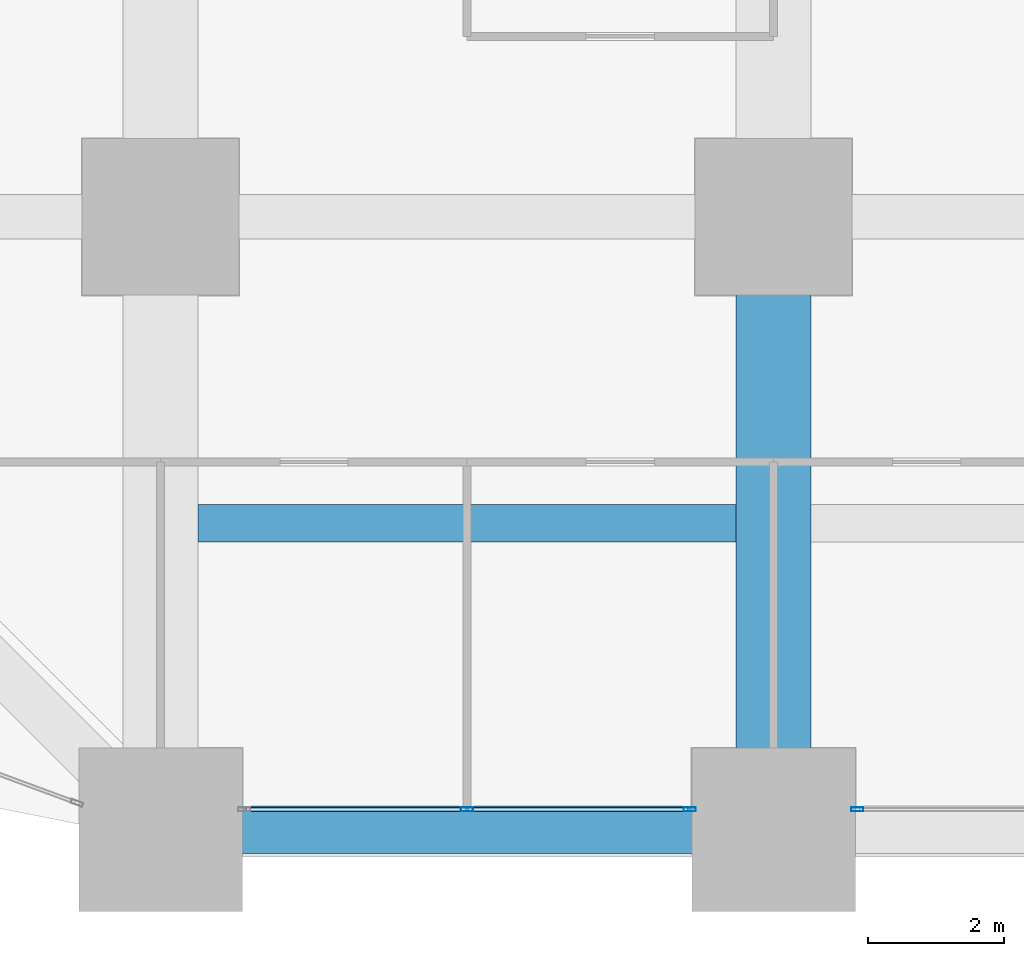
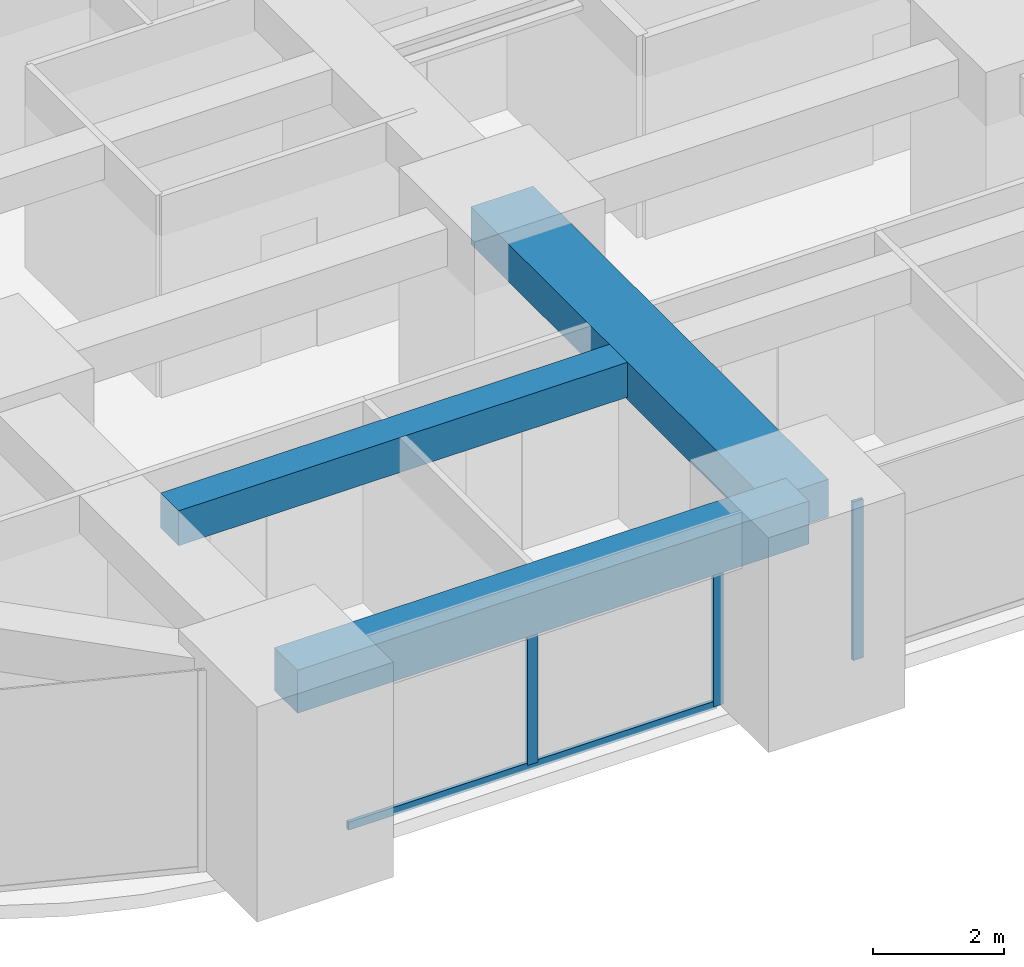
# One storey, part 4 of 39: 4 members, 3 beams, 2 elements without a shape of their own.
"""IFC4 building model written with IfcOpenShell, lengths in metres."""

from ifc_helpers import new_model, si_unit, direction, frame, origin, origin_2d, place, context, subcontext, project, spatial, rectangle, hollow_rectangle, extrude, material, material_profile, profile_set, type_object, element, aggregate, save


model = new_model("IFC4")

# Units and contexts
model_context = context("Model", 3, precision=1e-05, world=origin(), true_north=direction((0.0, 1.0)))
body_context = subcontext(model_context, "Body", "Model", "MODEL_VIEW")
ifc_project = project(units=[si_unit("LENGTHUNIT", "METRE"), si_unit("AREAUNIT", "SQUARE_METRE"), si_unit("VOLUMEUNIT", "CUBIC_METRE"), si_unit("PLANEANGLEUNIT", "RADIAN"), si_unit("MASSUNIT", "GRAM", prefix="KILO")], contexts=[model_context])

# Site, building, storey
site_placement = place(None, origin())
site = spatial("IfcSite", under=ifc_project, at=site_placement, CompositionType="ELEMENT")
building_placement = place(site_placement, origin())
building = spatial("IfcBuilding", under=site, at=building_placement, Name="Zorevar Civic Tower", CompositionType="ELEMENT")
storey_placement = place(building_placement, frame((0.0, 0.0, 19.800048828125)))
storey = spatial("IfcBuildingStorey", under=building, at=storey_placement, Name="L04", CompositionType="ELEMENT", Elevation=19.800048828125)

# Beams
ifc_material_1 = material(Name="Concrete C50/60", Category="concrete")
ifc_material_profile_1 = material_profile(ifc_material_1, rectangle(XDim=1.10009765625, YDim=0.699951171875, at=origin_2d()), Name="RC 1100x700")
ifc_profile_set_1 = profile_set([ifc_material_profile_1], Name="Concrete C50/60")
beam_type_1 = type_object("IfcBeamType", Name="Beam RC 1100x700", PredefinedType="BEAM", material=ifc_profile_set_1)
beam_1_placement = place(storey_placement, frame((18.0, 0.0, 3.39990234375), z_axis=(0.0, 1.0, 0.0), x_axis=(-1.0, 0.0, 0.0)))
element("IfcBeam", 1, at=beam_1_placement, inside=storey, type_object=beam_type_1, Name="Girder L05", PredefinedType="BEAM", context=body_context, shape_type="SweptSolid", body=[
    extrude(rectangle(XDim=1.10009765625, YDim=0.699951171875, at=origin_2d()), origin(), (0.0, 0.0, 1.0), 9.0),
])
ifc_material_2 = material(Name="Concrete C50/60", Category="concrete")
ifc_material_profile_2 = material_profile(ifc_material_2, rectangle(XDim=0.550048828125, YDim=0.64990234375, at=origin_2d()), Name="RC 550x650")
ifc_profile_set_2 = profile_set([ifc_material_profile_2], Name="Concrete C50/60")
beam_type_2 = type_object("IfcBeamType", Name="Beam RC 550x650", PredefinedType="BEAM", material=ifc_profile_set_2)
beam_2_placement = place(storey_placement, frame((9.550048828125, 4.5, 3.425048828125), z_axis=(1.0, 0.0, 0.0), x_axis=(0.0, 1.0, 0.0)))
element("IfcBeam", 2, at=beam_2_placement, inside=storey, type_object=beam_type_2, Name="Secondary beam L05", PredefinedType="BEAM", context=body_context, shape_type="SweptSolid", body=[
    extrude(rectangle(XDim=0.550048828125, YDim=0.64990234375, at=origin_2d()), origin(), (0.0, 0.0, 1.0), 7.89990234375),
])

# Curtain wall, members
ifc_material_3 = material(Name="Dark grey solar-control glass in black aluminium frame", Category="aluminium")
curtain_wall_type = type_object("IfcCurtainWallType", Name="Curtain wall CW2 low zone", PredefinedType="NOTDEFINED", material=ifc_material_3)
curtain_wall_1_placement = place(storey_placement, origin())
curtain_wall_1 = element("IfcCurtainWall", 3, at=curtain_wall_1_placement, inside=storey, type_object=curtain_wall_type, Name="CW2 L04", PredefinedType="NOTDEFINED")
ifc_material_4 = material(Name="Aluminium, black anodised", Category="aluminium")
ifc_material_profile_3 = material_profile(ifc_material_4, hollow_rectangle(XDim=0.06005859375, YDim=0.179931640625, WallThickness=0.00390625, at=origin_2d()), Name="AL 180x60x4")
ifc_profile_set_3 = profile_set([ifc_material_profile_3], Name="Aluminium, black anodised")
member_type_1 = type_object("IfcMemberType", Name="CW2 mullion AL 180x60x4", PredefinedType="MULLION", material=ifc_profile_set_3)
member_1_placement = place(storey_placement, frame((13.5, 0.300048828125, 0.06005859375), z_axis=(0.0, 0.0, 1.0), x_axis=(0.0, 1.0, 0.0)))
member_1 = element("IfcMember", 4, at=member_1_placement, type_object=member_type_1, Name="CW2 mullion 2", PredefinedType="MULLION", context=body_context, shape_type="SweptSolid", body=[
    extrude(hollow_rectangle(XDim=0.06005859375, YDim=0.179931640625, WallThickness=0.00390625, at=origin_2d()), origin(), (0.0, 0.0, 1.0), 2.889892578125),
])
member_2_placement = place(storey_placement, frame((16.77001953125, 0.300048828125, 0.0), z_axis=(0.0, 0.0, 1.0), x_axis=(0.0, 1.0, 0.0)))
member_2 = element("IfcMember", 5, at=member_2_placement, type_object=member_type_1, Name="CW2 mullion 3", PredefinedType="MULLION", context=body_context, shape_type="SweptSolid", body=[
    extrude(hollow_rectangle(XDim=0.06005859375, YDim=0.179931640625, WallThickness=0.00390625, at=origin_2d()), origin(), (0.0, 0.0, 1.0), 2.949951171875),
])

# Curtain wall, member
curtain_wall_2_placement = place(storey_placement, origin())
curtain_wall_2 = element("IfcCurtainWall", 6, at=curtain_wall_2_placement, inside=storey, type_object=curtain_wall_type, Name="CW2 L04", PredefinedType="NOTDEFINED")
member_3_placement = place(storey_placement, frame((19.22998046875, 0.300048828125, 0.0), z_axis=(0.0, 0.0, 1.0), x_axis=(0.0, 1.0, 0.0)))
member_3 = element("IfcMember", 7, at=member_3_placement, type_object=member_type_1, Name="CW2 mullion 1", PredefinedType="MULLION", context=body_context, shape_type="SweptSolid", body=[
    extrude(hollow_rectangle(XDim=0.06005859375, YDim=0.179931640625, WallThickness=0.00390625, at=origin_2d()), origin(), (0.0, 0.0, 1.0), 2.949951171875),
])
aggregate(curtain_wall_2, [member_3])

# Member
ifc_material_5 = material(Name="Aluminium, black anodised", Category="aluminium")
ifc_material_profile_4 = material_profile(ifc_material_5, hollow_rectangle(XDim=0.06005859375, YDim=0.14990234375, WallThickness=0.00390625, at=origin_2d()), Name="AL 150x60x4")
ifc_profile_set_4 = profile_set([ifc_material_profile_4], Name="Aluminium, black anodised")
member_type_2 = type_object("IfcMemberType", Name="CW2 transom AL 150x60x4", PredefinedType="USERDEFINED", material=ifc_profile_set_4)
member_4_placement = place(storey_placement, frame((10.260009765625, 0.300048828125, 0.030029296875), z_axis=(1.0, 0.0, 0.0), x_axis=(0.0, 1.0, 0.0)))
member_4 = element("IfcMember", 8, at=member_4_placement, type_object=member_type_2, Name="CW2 sill transom", ObjectType="TRANSOM", PredefinedType="USERDEFINED", context=body_context, shape_type="SweptSolid", body=[
    extrude(hollow_rectangle(XDim=0.06005859375, YDim=0.14990234375, WallThickness=0.00390625, at=origin_2d()), origin(), (0.0, 0.0, 1.0), 6.47998046875),
])

aggregate(curtain_wall_1, [member_1, member_2, member_4])

# Beam
ifc_material_6 = material(Name="Concrete C50/60", Category="concrete")
ifc_material_profile_5 = material_profile(ifc_material_6, rectangle(XDim=0.699951171875, YDim=0.800048828125, at=origin_2d()), Name="RC 700x800")
ifc_profile_set_5 = profile_set([ifc_material_profile_5], Name="Concrete C50/60")
beam_type_3 = type_object("IfcBeamType", Name="Edge beam RC 700x800", PredefinedType="SPANDREL", material=ifc_profile_set_5)
beam_3_placement = place(storey_placement, frame((9.0, 0.0, 3.349853515625), z_axis=(1.0, 0.0, 0.0), x_axis=(0.0, 1.0, 0.0)))
element("IfcBeam", 9, at=beam_3_placement, inside=storey, type_object=beam_type_3, Name="Edge beam L05", PredefinedType="SPANDREL", context=body_context, shape_type="SweptSolid", body=[
    extrude(rectangle(XDim=0.699951171875, YDim=0.800048828125, at=origin_2d()), origin(), (0.0, 0.0, 1.0), 9.0),
])

save(model, "model.ifc")
